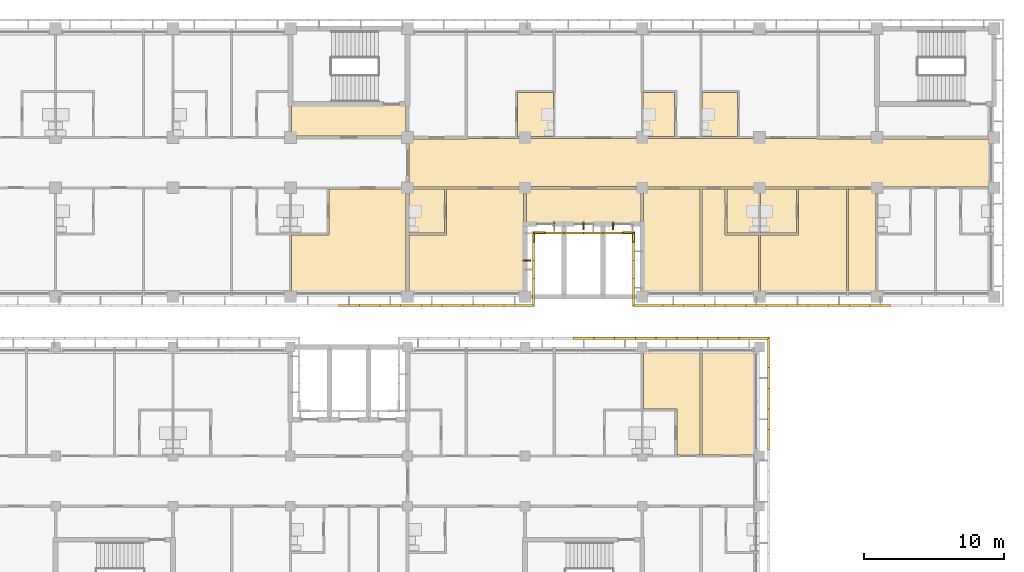
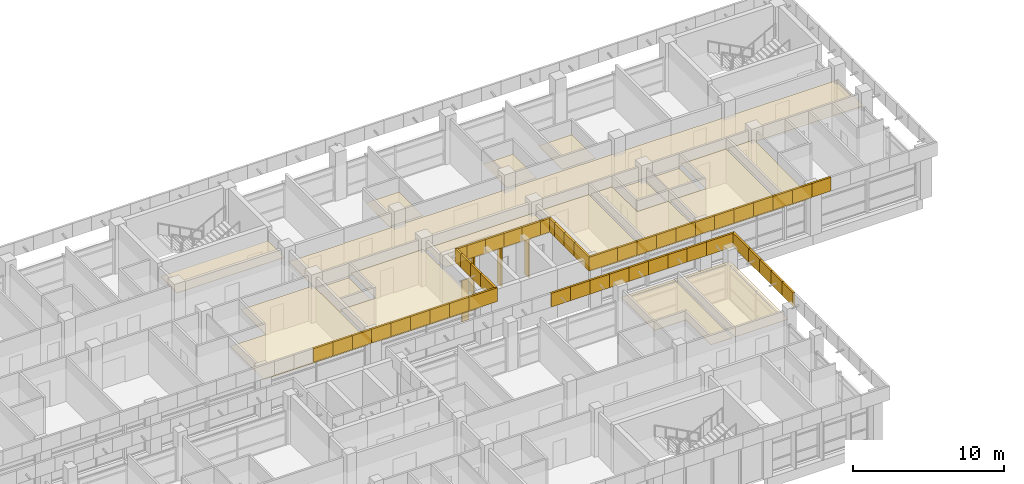
# One storey, part 69 of 74: 66 coverings, 4 shading devices.
"""IFC4 building model written with IfcOpenShell, lengths in metres."""

from ifc_helpers import new_model, si_unit, direction, frame, origin, origin_2d, place, context, subcontext, project, spatial, polyline, rectangle, outline, extrude, material, layer, layer_set, material_profile, profile_set, type_object, element, save


model = new_model("IFC4")

# Units and contexts
model_context = context("Model", 3, precision=1e-05, world=origin(), true_north=direction((0.0, 1.0)))
body_context = subcontext(model_context, "Body", "Model", "MODEL_VIEW")
ifc_project = project(units=[si_unit("LENGTHUNIT", "METRE"), si_unit("AREAUNIT", "SQUARE_METRE"), si_unit("VOLUMEUNIT", "CUBIC_METRE"), si_unit("PLANEANGLEUNIT", "RADIAN"), si_unit("MASSUNIT", "GRAM", prefix="KILO")], contexts=[model_context])

# Site, building, storey
site_placement = place(None, origin())
site = spatial("IfcSite", under=ifc_project, at=site_placement, CompositionType="ELEMENT")
building_placement = place(site_placement, origin())
building = spatial("IfcBuilding", under=site, at=building_placement, Name="Bougainvillea Quay General Hospital", CompositionType="ELEMENT")
storey_placement = place(building_placement, frame((0.0, 0.0, 21.0)))
storey = spatial("IfcBuildingStorey", under=building, at=storey_placement, Name="L04", CompositionType="ELEMENT", Elevation=21.0)

# Coverings
ifc_material_1 = material(Name="Powder-coated aluminium fascia, white", Category="aluminium")
ifc_layer_1 = layer(ifc_material_1, 0.14990234375)
ifc_layer_set_1 = layer_set([ifc_layer_1], Name="Powder-coated aluminium fascia, white")
covering_type_1 = type_object("IfcCoveringType", Name="Aluminium fascia band white 150x1100", PredefinedType="CLADDING", material=ifc_layer_set_1)
covering_1_placement = place(storey_placement, frame((137.85888671875, 139.85009765625, 3.35009765625), z_axis=(0.0, 0.0, 1.0), x_axis=(1.0, 0.0, 0.0)))
element("IfcCovering", 1, at=covering_1_placement, inside=storey, type_object=covering_type_1, Name="Fascia band white e0 183", PredefinedType="CLADDING", context=body_context, shape_type="SweptSolid", body=[
    extrude(outline(polyline([(0.0, 0.0), (1.482177734375, 0.0), (1.482177734375, -0.150146484375), (0.0, -0.150146484375), (0.0, 0.0)])), origin(), (0.0, 0.0, 1.0), 1.10009765625),
])
for number, where, z_axis, x_axis, name in (
    (2, (139.341064453125, 139.85009765625, 3.35009765625), (0.0, 0.0, 1.0), (1.0, 0.0, 0.0), "Fascia band white e0 184"),
    (3, (140.823486328125, 139.85009765625, 3.35009765625), (0.0, 0.0, 1.0), (1.0, 0.0, 0.0), "Fascia band white e0 185"),
    (4, (142.305908203125, 139.85009765625, 3.35009765625), (0.0, 0.0, 1.0), (1.0, 0.0, 0.0), "Fascia band white e0 186"),
):
    element("IfcCovering", number, at=place(storey_placement, frame(where, z_axis=z_axis, x_axis=x_axis)), inside=storey, type_object=covering_type_1, Name=name, PredefinedType="CLADDING", context=body_context, shape_type="SweptSolid", body=[
        extrude(outline(polyline([(0.0, 0.0), (1.482421875, 0.0), (1.482421875, -0.150146484375), (0.0, -0.150146484375), (0.0, 0.0)])), origin(), (0.0, 0.0, 1.0), 1.10009765625),
    ])
covering_2_placement = place(storey_placement, frame((143.788330078125, 139.85009765625, 3.35009765625), z_axis=(0.0, 0.0, 1.0), x_axis=(1.0, 0.0, 0.0)))
element("IfcCovering", 5, at=covering_2_placement, inside=storey, type_object=covering_type_1, Name="Fascia band white e0 187", PredefinedType="CLADDING", context=body_context, shape_type="SweptSolid", body=[
    extrude(outline(polyline([(0.0, 0.0), (1.482177734375, 0.0), (1.482177734375, -0.150146484375), (0.0, -0.150146484375), (0.0, 0.0)])), origin(), (0.0, 0.0, 1.0), 1.10009765625),
])
for number, where, z_axis, x_axis, name in (
    (6, (145.2705078125, 139.85009765625, 3.35009765625), (0.0, 0.0, 1.0), (1.0, 0.0, 0.0), "Fascia band white e0 188"),
    (7, (146.7529296875, 139.85009765625, 3.35009765625), (0.0, 0.0, 1.0), (1.0, 0.0, 0.0), "Fascia band white e0 189"),
):
    element("IfcCovering", number, at=place(storey_placement, frame(where, z_axis=z_axis, x_axis=x_axis)), inside=storey, type_object=covering_type_1, Name=name, PredefinedType="CLADDING", context=body_context, shape_type="SweptSolid", body=[
        extrude(outline(polyline([(0.0, 0.0), (1.482421875, 0.0), (1.482421875, -0.150146484375), (0.0, -0.150146484375), (0.0, 0.0)])), origin(), (0.0, 0.0, 1.0), 1.10009765625),
    ])
covering_3_placement = place(storey_placement, frame((148.2353515625, 139.85009765625, 3.35009765625), z_axis=(0.0, 0.0, 1.0), x_axis=(1.0, 0.0, 0.0)))
element("IfcCovering", 8, at=covering_3_placement, inside=storey, type_object=covering_type_1, Name="Fascia band white e0 190", PredefinedType="CLADDING", context=body_context, shape_type="SweptSolid", body=[
    extrude(outline(polyline([(0.0, 0.0), (1.482177734375, 0.0), (1.482177734375, -0.150146484375), (0.0, -0.150146484375), (0.0, 0.0)])), origin(), (0.0, 0.0, 1.0), 1.10009765625),
])
covering_4_placement = place(storey_placement, frame((149.717529296875, 139.85009765625, 3.35009765625), z_axis=(0.0, 0.0, 1.0), x_axis=(1.0, 0.0, 0.0)))
element("IfcCovering", 9, at=covering_4_placement, inside=storey, type_object=covering_type_1, Name="Fascia band white e0 191", PredefinedType="CLADDING", context=body_context, shape_type="SweptSolid", body=[
    extrude(outline(polyline([(0.0, 0.0), (2.032470703125, 0.0), (2.182373046875, -0.150146484375), (0.0, -0.150146484375), (0.0, 0.0)])), origin(), (0.0, 0.0, 1.0), 1.10009765625),
])
covering_5_placement = place(storey_placement, frame((151.75, 139.85009765625, 3.35009765625), z_axis=(0.0, 0.0, 1.0), x_axis=(0.0, 1.0, 0.0)))
element("IfcCovering", 10, at=covering_5_placement, inside=storey, type_object=covering_type_1, Name="Fascia band white e0 192", PredefinedType="CLADDING", context=body_context, shape_type="SweptSolid", body=[
    extrude(outline(polyline([(0.0, 0.0), (1.849853515625, 0.0), (1.849853515625, -0.14990234375), (-0.150146484375, -0.14990234375), (0.0, 0.0)])), origin(), (0.0, 0.0, 1.0), 1.10009765625),
])
for number, where, z_axis, x_axis, name in (
    (11, (151.75, 141.699951171875, 3.35009765625), (0.0, 0.0, 1.0), (0.0, 1.0, 0.0), "Fascia band white e0 193"),
    (12, (151.75, 143.0, 3.35009765625), (0.0, 0.0, 1.0), (0.0, 1.0, 0.0), "Fascia band white e0 194"),
):
    element("IfcCovering", number, at=place(storey_placement, frame(where, z_axis=z_axis, x_axis=x_axis)), inside=storey, type_object=covering_type_1, Name=name, PredefinedType="CLADDING", context=body_context, shape_type="SweptSolid", body=[
        extrude(outline(polyline([(0.0, 0.0), (1.300048828125, 0.0), (1.300048828125, -0.14990234375), (0.0, -0.14990234375), (0.0, 0.0)])), origin(), (0.0, 0.0, 1.0), 1.10009765625),
    ])
covering_6_placement = place(storey_placement, frame((151.75, 144.300048828125, 3.35009765625), z_axis=(0.0, 0.0, 1.0), x_axis=(0.0, 1.0, 0.0)))
element("IfcCovering", 13, at=covering_6_placement, inside=storey, type_object=covering_type_1, Name="Fascia band white e0 195", PredefinedType="CLADDING", context=body_context, shape_type="SweptSolid", body=[
    extrude(outline(polyline([(0.0, 0.0), (0.75, 0.0), (0.599853515625, -0.14990234375), (0.0, -0.14990234375), (0.0, 0.0)])), origin(), (0.0, 0.0, 1.0), 1.10009765625),
])
covering_7_placement = place(storey_placement, frame((151.75, 145.050048828125, 3.35009765625), z_axis=(0.0, 0.0, 1.0), x_axis=(1.0, 0.0, 0.0)))
element("IfcCovering", 14, at=covering_7_placement, inside=storey, type_object=covering_type_1, Name="Fascia band white e0 196", PredefinedType="CLADDING", context=body_context, shape_type="SweptSolid", body=[
    extrude(outline(polyline([(0.0, 0.0), (0.85009765625, 0.0), (0.85009765625, -0.150146484375), (0.14990234375, -0.150146484375), (0.0, 0.0)])), origin(), (0.0, 0.0, 1.0), 1.10009765625),
])
for number, where, z_axis, x_axis, name in (
    (15, (152.60009765625, 145.050048828125, 3.35009765625), (0.0, 0.0, 1.0), (1.0, 0.0, 0.0), "Fascia band white e0 197"),
    (16, (154.0, 145.050048828125, 3.35009765625), (0.0, 0.0, 1.0), (1.0, 0.0, 0.0), "Fascia band white e0 198"),
):
    element("IfcCovering", number, at=place(storey_placement, frame(where, z_axis=z_axis, x_axis=x_axis)), inside=storey, type_object=covering_type_1, Name=name, PredefinedType="CLADDING", context=body_context, shape_type="SweptSolid", body=[
        extrude(outline(polyline([(0.0, 0.0), (1.39990234375, 0.0), (1.39990234375, -0.150146484375), (0.0, -0.150146484375), (0.0, 0.0)])), origin(), (0.0, 0.0, 1.0), 1.10009765625),
    ])
covering_8_placement = place(storey_placement, frame((155.39990234375, 145.050048828125, 3.35009765625), z_axis=(0.0, 0.0, 1.0), x_axis=(1.0, 0.0, 0.0)))
element("IfcCovering", 17, at=covering_8_placement, inside=storey, type_object=covering_type_1, Name="Fascia band white e0 199", PredefinedType="CLADDING", context=body_context, shape_type="SweptSolid", body=[
    extrude(outline(polyline([(0.0, 0.0), (1.400146484375, 0.0), (1.400146484375, -0.150146484375), (0.0, -0.150146484375), (0.0, 0.0)])), origin(), (0.0, 0.0, 1.0), 1.10009765625),
])
covering_9_placement = place(storey_placement, frame((156.800048828125, 145.050048828125, 3.35009765625), z_axis=(0.0, 0.0, 1.0), x_axis=(1.0, 0.0, 0.0)))
element("IfcCovering", 18, at=covering_9_placement, inside=storey, type_object=covering_type_1, Name="Fascia band white e0 200", PredefinedType="CLADDING", context=body_context, shape_type="SweptSolid", body=[
    extrude(outline(polyline([(0.0, 0.0), (1.39990234375, 0.0), (1.39990234375, -0.150146484375), (0.0, -0.150146484375), (0.0, 0.0)])), origin(), (0.0, 0.0, 1.0), 1.10009765625),
])
covering_10_placement = place(storey_placement, frame((158.199951171875, 145.050048828125, 3.35009765625), z_axis=(0.0, 0.0, 1.0), x_axis=(1.0, 0.0, 0.0)))
element("IfcCovering", 19, at=covering_10_placement, inside=storey, type_object=covering_type_1, Name="Fascia band white e0 201", PredefinedType="CLADDING", context=body_context, shape_type="SweptSolid", body=[
    extrude(outline(polyline([(0.0, 0.0), (0.85009765625, 0.0), (0.699951171875, -0.150146484375), (0.0, -0.150146484375), (0.0, 0.0)])), origin(), (0.0, 0.0, 1.0), 1.10009765625),
])
covering_11_placement = place(storey_placement, frame((159.050048828125, 145.050048828125, 3.35009765625), z_axis=(0.0, 0.0, 1.0), x_axis=(0.0, -1.0, 0.0)))
element("IfcCovering", 20, at=covering_11_placement, inside=storey, type_object=covering_type_1, Name="Fascia band white e0 202", PredefinedType="CLADDING", context=body_context, shape_type="SweptSolid", body=[
    extrude(outline(polyline([(0.0, 0.0), (0.75, 0.0), (0.75, -0.150146484375), (0.150146484375, -0.150146484375), (0.0, 0.0)])), origin(), (0.0, 0.0, 1.0), 1.10009765625),
])
for number, where, z_axis, x_axis, name in (
    (21, (159.050048828125, 144.300048828125, 3.35009765625), (0.0, 0.0, 1.0), (0.0, -1.0, 0.0), "Fascia band white e0 203"),
    (22, (159.050048828125, 143.0, 3.35009765625), (0.0, 0.0, 1.0), (0.0, -1.0, 0.0), "Fascia band white e0 204"),
):
    element("IfcCovering", number, at=place(storey_placement, frame(where, z_axis=z_axis, x_axis=x_axis)), inside=storey, type_object=covering_type_1, Name=name, PredefinedType="CLADDING", context=body_context, shape_type="SweptSolid", body=[
        extrude(outline(polyline([(0.0, 0.0), (1.300048828125, 0.0), (1.300048828125, -0.150146484375), (0.0, -0.150146484375), (0.0, 0.0)])), origin(), (0.0, 0.0, 1.0), 1.10009765625),
    ])
covering_12_placement = place(storey_placement, frame((159.050048828125, 141.699951171875, 3.35009765625), z_axis=(0.0, 0.0, 1.0), x_axis=(0.0, -1.0, 0.0)))
element("IfcCovering", 23, at=covering_12_placement, inside=storey, type_object=covering_type_1, Name="Fascia band white e0 205", PredefinedType="CLADDING", context=body_context, shape_type="SweptSolid", body=[
    extrude(outline(polyline([(0.0, 0.0), (1.849853515625, 0.0), (2.0, -0.150146484375), (0.0, -0.150146484375), (0.0, 0.0)])), origin(), (0.0, 0.0, 1.0), 1.10009765625),
])
covering_13_placement = place(storey_placement, frame((159.050048828125, 139.85009765625, 3.35009765625), z_axis=(0.0, 0.0, 1.0), x_axis=(1.0, 0.0, 0.0)))
element("IfcCovering", 24, at=covering_13_placement, inside=storey, type_object=covering_type_1, Name="Fascia band white e0 206", PredefinedType="CLADDING", context=body_context, shape_type="SweptSolid", body=[
    extrude(outline(polyline([(0.0, 0.0), (2.0322265625, 0.0), (2.0322265625, -0.150146484375), (-0.150146484375, -0.150146484375), (0.0, 0.0)])), origin(), (0.0, 0.0, 1.0), 1.10009765625),
])
for number, where, z_axis, x_axis, name in (
    (25, (161.082275390625, 139.85009765625, 3.35009765625), (0.0, 0.0, 1.0), (1.0, 0.0, 0.0), "Fascia band white e0 207"),
    (26, (162.564697265625, 139.85009765625, 3.35009765625), (0.0, 0.0, 1.0), (1.0, 0.0, 0.0), "Fascia band white e0 208"),
):
    element("IfcCovering", number, at=place(storey_placement, frame(where, z_axis=z_axis, x_axis=x_axis)), inside=storey, type_object=covering_type_1, Name=name, PredefinedType="CLADDING", context=body_context, shape_type="SweptSolid", body=[
        extrude(outline(polyline([(0.0, 0.0), (1.482421875, 0.0), (1.482421875, -0.150146484375), (0.0, -0.150146484375), (0.0, 0.0)])), origin(), (0.0, 0.0, 1.0), 1.10009765625),
    ])
covering_14_placement = place(storey_placement, frame((164.047119140625, 139.85009765625, 3.35009765625), z_axis=(0.0, 0.0, 1.0), x_axis=(1.0, 0.0, 0.0)))
element("IfcCovering", 27, at=covering_14_placement, inside=storey, type_object=covering_type_1, Name="Fascia band white e0 209", PredefinedType="CLADDING", context=body_context, shape_type="SweptSolid", body=[
    extrude(outline(polyline([(0.0, 0.0), (1.482177734375, 0.0), (1.482177734375, -0.150146484375), (0.0, -0.150146484375), (0.0, 0.0)])), origin(), (0.0, 0.0, 1.0), 1.10009765625),
])
for number, where, z_axis, x_axis, name in (
    (28, (165.529296875, 139.85009765625, 3.35009765625), (0.0, 0.0, 1.0), (1.0, 0.0, 0.0), "Fascia band white e0 210"),
    (29, (167.01171875, 139.85009765625, 3.35009765625), (0.0, 0.0, 1.0), (1.0, 0.0, 0.0), "Fascia band white e0 211"),
    (30, (168.494140625, 139.85009765625, 3.35009765625), (0.0, 0.0, 1.0), (1.0, 0.0, 0.0), "Fascia band white e0 212"),
):
    element("IfcCovering", number, at=place(storey_placement, frame(where, z_axis=z_axis, x_axis=x_axis)), inside=storey, type_object=covering_type_1, Name=name, PredefinedType="CLADDING", context=body_context, shape_type="SweptSolid", body=[
        extrude(outline(polyline([(0.0, 0.0), (1.482421875, 0.0), (1.482421875, -0.150146484375), (0.0, -0.150146484375), (0.0, 0.0)])), origin(), (0.0, 0.0, 1.0), 1.10009765625),
    ])
covering_15_placement = place(storey_placement, frame((169.9765625, 139.85009765625, 3.35009765625), z_axis=(0.0, 0.0, 1.0), x_axis=(1.0, 0.0, 0.0)))
element("IfcCovering", 31, at=covering_15_placement, inside=storey, type_object=covering_type_1, Name="Fascia band white e0 213", PredefinedType="CLADDING", context=body_context, shape_type="SweptSolid", body=[
    extrude(outline(polyline([(0.0, 0.0), (1.482177734375, 0.0), (1.482177734375, -0.150146484375), (0.0, -0.150146484375), (0.0, 0.0)])), origin(), (0.0, 0.0, 1.0), 1.10009765625),
])
for number, where, z_axis, x_axis, name in (
    (32, (171.458740234375, 139.85009765625, 3.35009765625), (0.0, 0.0, 1.0), (1.0, 0.0, 0.0), "Fascia band white e0 214"),
    (33, (172.941162109375, 139.85009765625, 3.35009765625), (0.0, 0.0, 1.0), (1.0, 0.0, 0.0), "Fascia band white e0 215"),
):
    element("IfcCovering", number, at=place(storey_placement, frame(where, z_axis=z_axis, x_axis=x_axis)), inside=storey, type_object=covering_type_1, Name=name, PredefinedType="CLADDING", context=body_context, shape_type="SweptSolid", body=[
        extrude(outline(polyline([(0.0, 0.0), (1.482421875, 0.0), (1.482421875, -0.150146484375), (0.0, -0.150146484375), (0.0, 0.0)])), origin(), (0.0, 0.0, 1.0), 1.10009765625),
    ])
covering_16_placement = place(storey_placement, frame((174.423583984375, 139.85009765625, 3.35009765625), z_axis=(0.0, 0.0, 1.0), x_axis=(1.0, 0.0, 0.0)))
element("IfcCovering", 34, at=covering_16_placement, inside=storey, type_object=covering_type_1, Name="Fascia band white e0 216", PredefinedType="CLADDING", context=body_context, shape_type="SweptSolid", body=[
    extrude(outline(polyline([(0.0, 0.0), (1.482177734375, 0.0), (1.482177734375, -0.150146484375), (0.0, -0.150146484375), (0.0, 0.0)])), origin(), (0.0, 0.0, 1.0), 1.10009765625),
])
covering_17_placement = place(storey_placement, frame((175.90576171875, 139.85009765625, 3.35009765625), z_axis=(0.0, 0.0, 1.0), x_axis=(1.0, 0.0, 0.0)))
element("IfcCovering", 35, at=covering_17_placement, inside=storey, type_object=covering_type_1, Name="Fascia band white e0 217", PredefinedType="CLADDING", context=body_context, shape_type="SweptSolid", body=[
    extrude(outline(polyline([(0.0, 0.0), (1.482421875, 0.0), (1.482421875, -0.150146484375), (0.0, -0.150146484375), (0.0, 0.0)])), origin(), (0.0, 0.0, 1.0), 1.10009765625),
])
covering_18_placement = place(storey_placement, frame((168.550048828125, 129.415283203125, 3.35009765625), z_axis=(0.0, 0.0, 1.0), x_axis=(0.0, 1.0, 0.0)))
element("IfcCovering", 36, at=covering_18_placement, inside=storey, type_object=covering_type_1, Name="Fascia band white e0 106", PredefinedType="CLADDING", context=body_context, shape_type="SweptSolid", body=[
    extrude(outline(polyline([(0.0, 0.0), (1.47705078125, 0.0), (1.47705078125, -0.14990234375), (0.0, -0.14990234375), (0.0, 0.0)])), origin(), (0.0, 0.0, 1.0), 1.10009765625),
])
covering_19_placement = place(storey_placement, frame((168.550048828125, 130.892333984375, 3.35009765625), z_axis=(0.0, 0.0, 1.0), x_axis=(0.0, 1.0, 0.0)))
element("IfcCovering", 37, at=covering_19_placement, inside=storey, type_object=covering_type_1, Name="Fascia band white e0 107", PredefinedType="CLADDING", context=body_context, shape_type="SweptSolid", body=[
    extrude(outline(polyline([(0.0, 0.0), (1.476806640625, 0.0), (1.476806640625, -0.14990234375), (0.0, -0.14990234375), (0.0, 0.0)])), origin(), (0.0, 0.0, 1.0), 1.10009765625),
])
covering_20_placement = place(storey_placement, frame((168.550048828125, 132.369140625, 3.35009765625), z_axis=(0.0, 0.0, 1.0), x_axis=(0.0, 1.0, 0.0)))
element("IfcCovering", 38, at=covering_20_placement, inside=storey, type_object=covering_type_1, Name="Fascia band white e0 108", PredefinedType="CLADDING", context=body_context, shape_type="SweptSolid", body=[
    extrude(outline(polyline([(0.0, 0.0), (1.47705078125, 0.0), (1.47705078125, -0.14990234375), (0.0, -0.14990234375), (0.0, 0.0)])), origin(), (0.0, 0.0, 1.0), 1.10009765625),
])
covering_21_placement = place(storey_placement, frame((168.550048828125, 133.84619140625, 3.35009765625), z_axis=(0.0, 0.0, 1.0), x_axis=(0.0, 1.0, 0.0)))
element("IfcCovering", 39, at=covering_21_placement, inside=storey, type_object=covering_type_1, Name="Fascia band white e0 109", PredefinedType="CLADDING", context=body_context, shape_type="SweptSolid", body=[
    extrude(outline(polyline([(0.0, 0.0), (1.476806640625, 0.0), (1.476806640625, -0.14990234375), (0.0, -0.14990234375), (0.0, 0.0)])), origin(), (0.0, 0.0, 1.0), 1.10009765625),
])
covering_22_placement = place(storey_placement, frame((168.550048828125, 135.322998046875, 3.35009765625), z_axis=(0.0, 0.0, 1.0), x_axis=(0.0, 1.0, 0.0)))
element("IfcCovering", 40, at=covering_22_placement, inside=storey, type_object=covering_type_1, Name="Fascia band white e0 110", PredefinedType="CLADDING", context=body_context, shape_type="SweptSolid", body=[
    extrude(outline(polyline([(0.0, 0.0), (2.027099609375, 0.0), (2.177001953125, -0.14990234375), (0.0, -0.14990234375), (0.0, 0.0)])), origin(), (0.0, 0.0, 1.0), 1.10009765625),
])
covering_23_placement = place(storey_placement, frame((168.550048828125, 137.35009765625, 3.35009765625), z_axis=(0.0, 0.0, 1.0), x_axis=(-1.0, 0.0, 0.0)))
element("IfcCovering", 41, at=covering_23_placement, inside=storey, type_object=covering_type_1, Name="Fascia band white e0 111", PredefinedType="CLADDING", context=body_context, shape_type="SweptSolid", body=[
    extrude(outline(polyline([(0.0, 0.0), (2.032470703125, 0.0), (2.032470703125, -0.14990234375), (-0.14990234375, -0.14990234375), (0.0, 0.0)])), origin(), (0.0, 0.0, 1.0), 1.10009765625),
])
covering_24_placement = place(storey_placement, frame((166.517578125, 137.35009765625, 3.35009765625), z_axis=(0.0, 0.0, 1.0), x_axis=(-1.0, 0.0, 0.0)))
element("IfcCovering", 42, at=covering_24_placement, inside=storey, type_object=covering_type_1, Name="Fascia band white e0 112", PredefinedType="CLADDING", context=body_context, shape_type="SweptSolid", body=[
    extrude(outline(polyline([(0.0, 0.0), (1.482177734375, 0.0), (1.482177734375, -0.14990234375), (0.0, -0.14990234375), (0.0, 0.0)])), origin(), (0.0, 0.0, 1.0), 1.10009765625),
])
for number, where, z_axis, x_axis, name in (
    (43, (165.035400390625, 137.35009765625, 3.35009765625), (0.0, 0.0, 1.0), (-1.0, 0.0, 0.0), "Fascia band white e0 113"),
    (44, (163.552978515625, 137.35009765625, 3.35009765625), (0.0, 0.0, 1.0), (-1.0, 0.0, 0.0), "Fascia band white e0 114"),
    (45, (162.070556640625, 137.35009765625, 3.35009765625), (0.0, 0.0, 1.0), (-1.0, 0.0, 0.0), "Fascia band white e0 115"),
):
    element("IfcCovering", number, at=place(storey_placement, frame(where, z_axis=z_axis, x_axis=x_axis)), inside=storey, type_object=covering_type_1, Name=name, PredefinedType="CLADDING", context=body_context, shape_type="SweptSolid", body=[
        extrude(outline(polyline([(0.0, 0.0), (1.482421875, 0.0), (1.482421875, -0.14990234375), (0.0, -0.14990234375), (0.0, 0.0)])), origin(), (0.0, 0.0, 1.0), 1.10009765625),
    ])
covering_25_placement = place(storey_placement, frame((160.588134765625, 137.35009765625, 3.35009765625), z_axis=(0.0, 0.0, 1.0), x_axis=(-1.0, 0.0, 0.0)))
element("IfcCovering", 46, at=covering_25_placement, inside=storey, type_object=covering_type_1, Name="Fascia band white e0 116", PredefinedType="CLADDING", context=body_context, shape_type="SweptSolid", body=[
    extrude(outline(polyline([(0.0, 0.0), (1.482177734375, 0.0), (1.482177734375, -0.14990234375), (0.0, -0.14990234375), (0.0, 0.0)])), origin(), (0.0, 0.0, 1.0), 1.10009765625),
])
for number, where, z_axis, x_axis, name in (
    (47, (159.10595703125, 137.35009765625, 3.35009765625), (0.0, 0.0, 1.0), (-1.0, 0.0, 0.0), "Fascia band white e0 117"),
    (48, (157.62353515625, 137.35009765625, 3.35009765625), (0.0, 0.0, 1.0), (-1.0, 0.0, 0.0), "Fascia band white e0 118"),
):
    element("IfcCovering", number, at=place(storey_placement, frame(where, z_axis=z_axis, x_axis=x_axis)), inside=storey, type_object=covering_type_1, Name=name, PredefinedType="CLADDING", context=body_context, shape_type="SweptSolid", body=[
        extrude(outline(polyline([(0.0, 0.0), (1.482421875, 0.0), (1.482421875, -0.14990234375), (0.0, -0.14990234375), (0.0, 0.0)])), origin(), (0.0, 0.0, 1.0), 1.10009765625),
    ])
covering_26_placement = place(storey_placement, frame((156.14111328125, 137.35009765625, 3.35009765625), z_axis=(0.0, 0.0, 1.0), x_axis=(-1.0, 0.0, 0.0)))
element("IfcCovering", 49, at=covering_26_placement, inside=storey, type_object=covering_type_1, Name="Fascia band white e0 119", PredefinedType="CLADDING", context=body_context, shape_type="SweptSolid", body=[
    extrude(outline(polyline([(0.0, 0.0), (1.482177734375, 0.0), (1.482177734375, -0.14990234375), (0.0, -0.14990234375), (0.0, 0.0)])), origin(), (0.0, 0.0, 1.0), 1.10009765625),
])
ifc_material_2 = material(Name="Mineral fibre ceiling tile")
ifc_layer_2 = layer(ifc_material_2, 0.030029296875)
ifc_layer_set_2 = layer_set([ifc_layer_2], Name="Mineral fibre ceiling tile")
covering_type_2 = type_object("IfcCoveringType", Name="Suspended ceiling mineral fibre tile", PredefinedType="CEILING", material=ifc_layer_set_2)
covering_27_placement = place(storey_placement, frame((0.0, 0.0, 2.699951171875)))
element("IfcCovering", 50, at=covering_27_placement, inside=storey, type_object=covering_type_2, Name="Ceiling Lift Lobby LB-A2 (Fire-fighting)", PredefinedType="CEILING", context=body_context, shape_type="SweptSolid", body=[
    extrude(outline(polyline([(159.5, 145.60009765625), (159.5, 148.10009765625), (151.300048828125, 148.10009765625), (151.300048828125, 145.60009765625), (159.5, 145.60009765625)])), origin(), (0.0, 0.0, 1.0), 0.030029296875),
])
covering_28_placement = place(storey_placement, frame((0.0, 0.0, 2.699951171875)))
element("IfcCovering", 51, at=covering_28_placement, inside=storey, type_object=covering_type_2, Name="Ceiling Smoke-proof Vestibule ST-A3", PredefinedType="CEILING", context=body_context, shape_type="SweptSolid", body=[
    extrude(outline(polyline([(134.5, 154.10009765625), (134.5, 151.89990234375), (142.699951171875, 151.89990234375), (142.699951171875, 154.10009765625), (134.5, 154.10009765625)])), origin(), (0.0, 0.0, 1.0), 0.030029296875),
])
covering_29_placement = place(storey_placement, frame((0.0, 0.0, 2.699951171875)))
element("IfcCovering", 52, at=covering_29_placement, inside=storey, type_object=covering_type_2, Name="Ceiling Surgical Ward Room 04A21", PredefinedType="CEILING", context=body_context, shape_type="SweptSolid", body=[
    extrude(outline(polyline([(142.699951171875, 140.39990234375), (142.699951171875, 148.125), (137.175048828125, 148.125), (137.175048828125, 144.824951171875), (134.47509765625, 144.824951171875), (134.47509765625, 140.39990234375), (142.699951171875, 140.39990234375)])), origin(), (0.0, 0.0, 1.0), 0.030029296875),
])
covering_30_placement = place(storey_placement, frame((0.0, 0.0, 2.699951171875)))
element("IfcCovering", 53, at=covering_30_placement, inside=storey, type_object=covering_type_2, Name="Ceiling Surgical Ward Room 04A28", PredefinedType="CEILING", context=body_context, shape_type="SweptSolid", body=[
    extrude(outline(polyline([(151.199951171875, 145.60009765625), (151.10009765625, 145.60009765625), (151.10009765625, 148.125), (145.574951171875, 148.125), (145.574951171875, 144.824951171875), (142.89990234375, 144.824951171875), (142.89990234375, 140.39990234375), (151.199951171875, 140.39990234375), (151.199951171875, 145.60009765625)])), origin(), (0.0, 0.0, 1.0), 0.030029296875),
])
covering_31_placement = place(storey_placement, frame((0.0, 0.0, 2.39990234375)))
element("IfcCovering", 54, at=covering_31_placement, inside=storey, type_object=covering_type_2, Name="Ceiling En-suite 04A28", PredefinedType="CEILING", context=body_context, shape_type="SweptSolid", body=[
    extrude(outline(polyline([(142.89990234375, 144.97509765625), (145.425048828125, 144.97509765625), (145.425048828125, 148.125), (142.89990234375, 148.125), (142.89990234375, 144.97509765625)])), origin(), (0.0, 0.0, 1.0), 0.030029296875),
])
covering_32_placement = place(storey_placement, frame((0.0, 0.0, 2.39990234375)))
element("IfcCovering", 55, at=covering_32_placement, inside=storey, type_object=covering_type_2, Name="Ceiling En-suite 04A29", PredefinedType="CEILING", context=body_context, shape_type="SweptSolid", body=[
    extrude(outline(polyline([(150.675048828125, 151.875), (153.25, 151.875), (153.25, 155.02490234375), (150.675048828125, 155.02490234375), (150.675048828125, 151.875)])), origin(), (0.0, 0.0, 1.0), 0.030029296875),
])
covering_33_placement = place(storey_placement, frame((0.0, 0.0, 2.39990234375)))
element("IfcCovering", 56, at=covering_33_placement, inside=storey, type_object=covering_type_2, Name="Ceiling En-suite 04A31", PredefinedType="CEILING", context=body_context, shape_type="SweptSolid", body=[
    extrude(outline(polyline([(159.64990234375, 151.875), (161.925048828125, 151.875), (161.925048828125, 155.02490234375), (159.64990234375, 155.02490234375), (159.64990234375, 151.875)])), origin(), (0.0, 0.0, 1.0), 0.030029296875),
])
covering_34_placement = place(storey_placement, frame((0.0, 0.0, 2.39990234375)))
element("IfcCovering", 57, at=covering_34_placement, inside=storey, type_object=covering_type_2, Name="Ceiling En-suite 04A32", PredefinedType="CEILING", context=body_context, shape_type="SweptSolid", body=[
    extrude(outline(polyline([(166.425048828125, 151.875), (166.425048828125, 155.02490234375), (163.875, 155.02490234375), (163.875, 151.875), (166.425048828125, 151.875)])), origin(), (0.0, 0.0, 1.0), 0.030029296875),
])
covering_35_placement = place(storey_placement, frame((0.0, 0.0, 2.699951171875)))
element("IfcCovering", 58, at=covering_35_placement, inside=storey, type_object=covering_type_2, Name="Ceiling Treatment and Clean Utility Room 04A33", PredefinedType="CEILING", context=body_context, shape_type="SweptSolid", body=[
    extrude(outline(polyline([(163.72509765625, 140.39990234375), (163.72509765625, 148.125), (159.699951171875, 148.125), (159.699951171875, 145.60009765625), (159.60009765625, 145.60009765625), (159.60009765625, 140.39990234375), (163.72509765625, 140.39990234375)])), origin(), (0.0, 0.0, 1.0), 0.030029296875),
])
covering_36_placement = place(storey_placement, frame((0.0, 0.0, 2.699951171875)))
element("IfcCovering", 59, at=covering_36_placement, inside=storey, type_object=covering_type_2, Name="Ceiling Post-operative Patient Room 04A34", PredefinedType="CEILING", context=body_context, shape_type="SweptSolid", body=[
    extrude(outline(polyline([(167.925048828125, 140.39990234375), (167.925048828125, 144.824951171875), (165.52490234375, 144.824951171875), (165.52490234375, 148.125), (163.875, 148.125), (163.875, 140.39990234375), (167.925048828125, 140.39990234375)])), origin(), (0.0, 0.0, 1.0), 0.030029296875),
])
covering_37_placement = place(storey_placement, frame((0.0, 0.0, 2.39990234375)))
element("IfcCovering", 60, at=covering_37_placement, inside=storey, type_object=covering_type_2, Name="Ceiling En-suite 04A34", PredefinedType="CEILING", context=body_context, shape_type="SweptSolid", body=[
    extrude(outline(polyline([(165.675048828125, 148.125), (165.675048828125, 144.97509765625), (167.949951171875, 144.97509765625), (167.949951171875, 148.125), (165.675048828125, 148.125)])), origin(), (0.0, 0.0, 1.0), 0.030029296875),
])
covering_38_placement = place(storey_placement, frame((0.0, 0.0, 2.699951171875)))
element("IfcCovering", 61, at=covering_38_placement, inside=storey, type_object=covering_type_2, Name="Ceiling Two-bed Surgical Room 04A35", PredefinedType="CEILING", context=body_context, shape_type="SweptSolid", body=[
    extrude(outline(polyline([(174.22509765625, 140.39990234375), (174.22509765625, 148.125), (170.77490234375, 148.125), (170.77490234375, 144.824951171875), (168.074951171875, 144.824951171875), (168.074951171875, 140.39990234375), (174.22509765625, 140.39990234375)])), origin(), (0.0, 0.0, 1.0), 0.030029296875),
])
covering_39_placement = place(storey_placement, frame((0.0, 0.0, 2.39990234375)))
element("IfcCovering", 62, at=covering_39_placement, inside=storey, type_object=covering_type_2, Name="Ceiling En-suite 04A35", PredefinedType="CEILING", context=body_context, shape_type="SweptSolid", body=[
    extrude(outline(polyline([(168.050048828125, 148.125), (168.050048828125, 144.97509765625), (170.625, 144.97509765625), (170.625, 148.125), (168.050048828125, 148.125)])), origin(), (0.0, 0.0, 1.0), 0.030029296875),
])
covering_40_placement = place(storey_placement, frame((0.0, 0.0, 2.699951171875)))
element("IfcCovering", 63, at=covering_40_placement, inside=storey, type_object=covering_type_2, Name="Ceiling Dirty Utility and Sluice Room 04A36", PredefinedType="CEILING", context=body_context, shape_type="SweptSolid", body=[
    extrude(outline(polyline([(176.324951171875, 140.39990234375), (176.324951171875, 144.97509765625), (176.35009765625, 144.97509765625), (176.35009765625, 148.125), (174.375, 148.125), (174.375, 140.39990234375), (176.324951171875, 140.39990234375)])), origin(), (0.0, 0.0, 1.0), 0.030029296875),
])
covering_41_placement = place(storey_placement, frame((0.0, 0.0, 2.39990234375)))
element("IfcCovering", 64, at=covering_41_placement, inside=storey, type_object=covering_type_2, Name="Ceiling Ward Corridor A4", PredefinedType="CEILING", context=body_context, shape_type="SweptSolid", body=[
    extrude(outline(polyline([(184.800048828125, 151.699951171875), (172.10009765625, 151.699951171875), (172.10009765625, 151.72509765625), (147.10009765625, 151.72509765625), (147.10009765625, 151.699951171875), (142.89990234375, 151.699951171875), (142.89990234375, 148.27490234375), (151.10009765625, 148.27490234375), (151.10009765625, 148.300048828125), (159.699951171875, 148.300048828125), (159.699951171875, 148.27490234375), (184.800048828125, 148.27490234375), (184.800048828125, 151.699951171875)])), origin(), (0.0, 0.0, 1.0), 0.030029296875),
])
covering_42_placement = place(storey_placement, frame((0.0, 0.0, 2.699951171875)))
element("IfcCovering", 65, at=covering_42_placement, inside=storey, type_object=covering_type_2, Name="Ceiling Patient Room 04B33", PredefinedType="CEILING", context=body_context, shape_type="SweptSolid", body=[
    extrude(outline(polyline([(159.675048828125, 136.800048828125), (159.675048828125, 132.375), (162.074951171875, 132.375), (162.074951171875, 129.074951171875), (163.72509765625, 129.074951171875), (163.72509765625, 136.800048828125), (159.675048828125, 136.800048828125)])), origin(), (0.0, 0.0, 1.0), 0.030029296875),
])
covering_43_placement = place(storey_placement, frame((0.0, 0.0, 2.699951171875)))
element("IfcCovering", 66, at=covering_43_placement, inside=storey, type_object=covering_type_2, Name="Ceiling Treatment and Clean Utility Room 04B34", PredefinedType="CEILING", context=body_context, shape_type="SweptSolid", body=[
    extrude(outline(polyline([(163.875, 136.800048828125), (163.875, 129.074951171875), (168.0, 129.074951171875), (168.0, 136.800048828125), (163.875, 136.800048828125)])), origin(), (0.0, 0.0, 1.0), 0.030029296875),
])

# Shading devices
ifc_material_3 = material(Name="Powder-coated aluminium fin, white", Category="aluminium")
ifc_material_profile = material_profile(ifc_material_3, rectangle(XDim=0.550048828125, YDim=0.10009765625, at=origin_2d()))
ifc_profile_set = profile_set([ifc_material_profile], Name="Powder-coated aluminium fin, white")
shading_device_type = type_object("IfcShadingDeviceType", Name="Vertical fin 550x100", PredefinedType="USERDEFINED", material=ifc_profile_set)
for number, where, z_axis, x_axis, name in (
    (67, (151.344970703125, 143.0, 0.0), (0.0, 0.0, 1.0), (1.0, 0.0, 0.0), "Vertical fin V5A L04 07.1"),
    (68, (157.5, 145.455078125, 0.0), (0.0, 0.0, 1.0), (0.0, -1.0, 0.0), "Vertical fin V5A L04 08.1"),
    (69, (155.39990234375, 145.455078125, 0.0), (0.0, 0.0, 1.0), (0.0, -1.0, 0.0), "Vertical fin V5A L04 08.2"),
    (70, (153.300048828125, 145.455078125, 0.0), (0.0, 0.0, 1.0), (0.0, -1.0, 0.0), "Vertical fin V5A L04 08.3"),
):
    element("IfcShadingDevice", number, at=place(storey_placement, frame(where, z_axis=z_axis, x_axis=x_axis)), inside=storey, type_object=shading_device_type, Name=name, ObjectType="Vertical fin", PredefinedType="USERDEFINED", context=body_context, shape_type="SweptSolid", body=[
        extrude(rectangle(XDim=0.550048828125, YDim=0.10009765625, at=origin_2d()), origin(), (0.0, 0.0, 1.0), 3.330078125),
    ])

save(model, "model.ifc")
